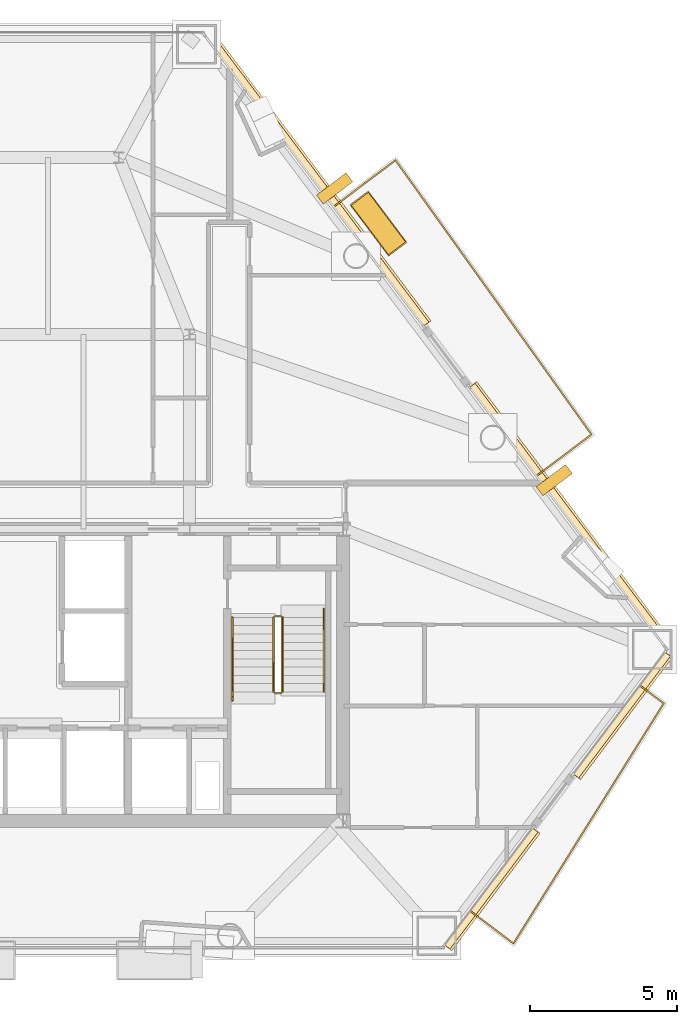
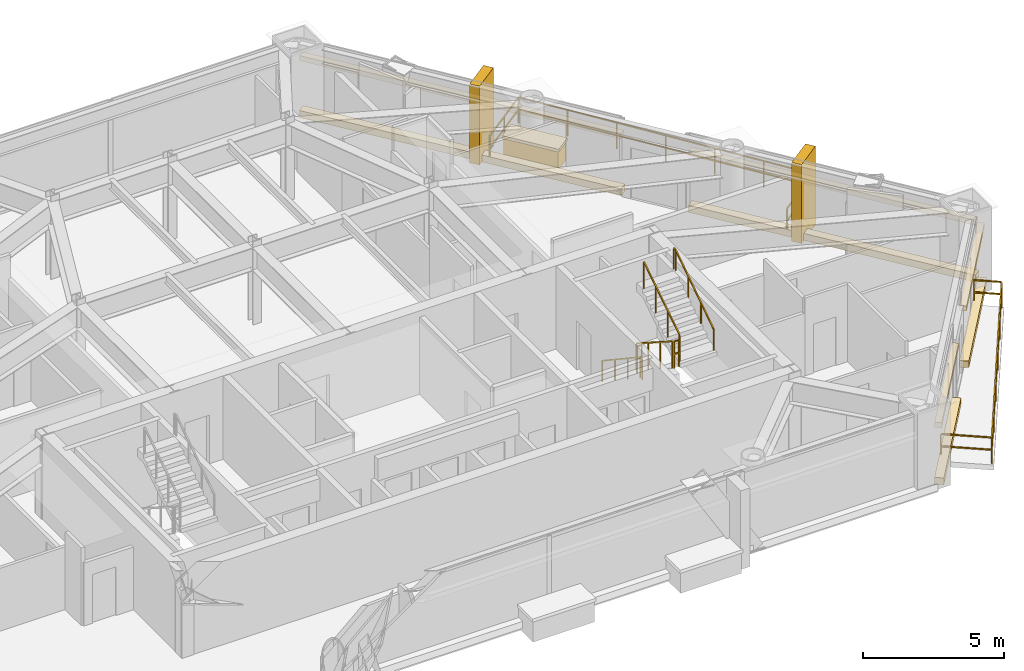
# One storey, part 10 of 10: 12 coverings, 8 railings.
"""IFC4 building model written with IfcOpenShell, lengths in metres."""

from ifc_helpers import new_model, si_unit, direction, frame, origin, origin_2d, place, context, subcontext, project, spatial, rectangle, extrude, material, layer, layer_set, type_object, element, save


model = new_model("IFC4")

# Units and contexts
model_context = context("Model", 3, precision=1e-05, world=origin(), true_north=direction((0.0, 1.0)))
body_context = subcontext(model_context, "Body", "Model", "MODEL_VIEW")
ifc_project = project(units=[si_unit("LENGTHUNIT", "METRE"), si_unit("AREAUNIT", "SQUARE_METRE"), si_unit("VOLUMEUNIT", "CUBIC_METRE"), si_unit("PLANEANGLEUNIT", "RADIAN"), si_unit("MASSUNIT", "GRAM", prefix="KILO")], contexts=[model_context])

# Site, building, storey
site_placement = place(None, origin())
site = spatial("IfcSite", under=ifc_project, at=site_placement, CompositionType="ELEMENT")
building_placement = place(site_placement, origin())
building = spatial("IfcBuilding", under=site, at=building_placement, Name="Talgorran Terracotta Tower", CompositionType="ELEMENT")
storey_placement = place(building_placement, frame((0.0, 0.0, 64.800048828125)))
storey = spatial("IfcBuildingStorey", under=building, at=storey_placement, Name="L16", CompositionType="ELEMENT", Elevation=64.800048828125)

# Coverings
ifc_material_1 = material(Name="Kiln-Fired Terracotta Ochre Ceramic", Category="masonry")
ifc_layer_1 = layer(ifc_material_1, 0.179931640625, Name="COV_BAGUETTE_TERRACOTTA_SCREEN")
ifc_layer_set_1 = layer_set([ifc_layer_1], Name="Kiln-Fired Terracotta Ochre Ceramic")
covering_type_1 = type_object("IfcCoveringType", Name="COV_BAGUETTE_TERRACOTTA_SCREEN", PredefinedType="CLADDING", material=ifc_layer_set_1)
covering_1_placement = place(storey_placement, frame((17.4169921875, -16.381591796875, 2.41015625), z_axis=(0.0, 0.0, 1.0), x_axis=(0.601438608227, 0.79891902001, 0.0)))
element("IfcCovering", 1, at=covering_1_placement, inside=storey, type_object=covering_type_1, Name="L16 Terracotta Baguette Solar Screen Assembly F30", PredefinedType="CLADDING", context=body_context, shape_type="SweptSolid", body=[
    extrude(rectangle(XDim=4.9609375, YDim=0.260009765625, at=origin_2d()), origin(), (0.0, 0.0, 1.0), 0.219970703125),
])
covering_2_placement = place(storey_placement, frame((21.845947265625, -10.49853515625, 2.41015625), z_axis=(0.0, 0.0, 1.0), x_axis=(0.601452551903, 0.798908522805, 0.0)))
element("IfcCovering", 2, at=covering_2_placement, inside=storey, type_object=covering_type_1, Name="L16 Terracotta Baguette Solar Screen Assembly F31", PredefinedType="CLADDING", context=body_context, shape_type="SweptSolid", body=[
    extrude(rectangle(XDim=5.166748046875, YDim=0.260009765625, at=origin_2d()), origin(), (0.0, 0.0, 1.0), 0.219970703125),
])
covering_3_placement = place(storey_placement, frame((20.087158203125, -3.73828125, 2.41015625), z_axis=(0.0, 0.0, 1.0), x_axis=(-0.601438608227, 0.79891902001, 0.0)))
element("IfcCovering", 3, at=covering_3_placement, inside=storey, type_object=covering_type_1, Name="L16 Terracotta Baguette Solar Screen Assembly F40", PredefinedType="CLADDING", context=body_context, shape_type="SweptSolid", body=[
    extrude(rectangle(XDim=11.015625, YDim=0.260009765625, at=origin_2d()), origin(), (0.0, 0.0, 1.0), 0.219970703125),
])
covering_4_placement = place(storey_placement, frame((11.4970703125, 7.67236328125, 2.41015625), z_axis=(0.0, 0.0, 1.0), x_axis=(-0.601438608227, 0.79891902001, 0.0)))
element("IfcCovering", 4, at=covering_4_placement, inside=storey, type_object=covering_type_1, Name="L16 Terracotta Baguette Solar Screen Assembly F41", PredefinedType="CLADDING", context=body_context, shape_type="SweptSolid", body=[
    extrude(rectangle(XDim=12.349609375, YDim=0.260009765625, at=origin_2d()), origin(), (0.0, 0.0, 1.0), 0.219970703125),
])
ifc_material_2 = material(Name="Honed Limestone and Terracotta Planter", Category="masonry")
ifc_layer_2 = layer(ifc_material_2, 0.1201171875, Name="COV_PLANTER_BOX")
ifc_layer_set_2 = layer_set([ifc_layer_2], Name="Honed Limestone and Terracotta Planter")
covering_type_2 = type_object("IfcCoveringType", Name="COV_PLANTER_BOX", PredefinedType="CLADDING", material=ifc_layer_set_2)
covering_5_placement = place(storey_placement, frame((13.603271484375, 6.15478515625, -0.02001953125), z_axis=(0.0, 0.0, 1.0), x_axis=(-0.601438608227, 0.79891902001, 0.0)))
element("IfcCovering", 5, at=covering_5_placement, inside=storey, type_object=covering_type_2, Name="L16 Staggered Balcony Planter Box BAL-NE", PredefinedType="CLADDING", context=body_context, shape_type="SweptSolid", body=[
    extrude(rectangle(XDim=2.10009765625, YDim=0.719970703125, at=origin_2d()), origin(), (0.0, 0.0, 1.0), 0.860107421875),
])
ifc_material_3 = material(Name="Kiln-Fired Terracotta Planter Rim", Category="masonry")
ifc_layer_3 = layer(ifc_material_3, 0.10009765625, Name="COV_PLANTER_RIM")
ifc_layer_set_3 = layer_set([ifc_layer_3], Name="Kiln-Fired Terracotta Planter Rim")
covering_type_3 = type_object("IfcCoveringType", Name="COV_PLANTER_RIM", PredefinedType="CLADDING", material=ifc_layer_set_3)
covering_6_placement = place(storey_placement, frame((13.603271484375, 6.15478515625, 0.7998046875), z_axis=(0.0, 0.0, 1.0), x_axis=(-0.601438608227, 0.79891902001, 0.0)))
element("IfcCovering", 6, at=covering_6_placement, inside=storey, type_object=covering_type_3, Name="L16 Balcony Planter Terracotta Rim BAL-NE", PredefinedType="CLADDING", context=body_context, shape_type="SweptSolid", body=[
    extrude(rectangle(XDim=2.179931640625, YDim=0.780029296875, at=origin_2d()), origin(), (0.0, 0.0, 1.0), 0.1201171875),
])
ifc_material_4 = material(Name="Honed Limestone Cladding", Category="masonry")
ifc_layer_4 = layer(ifc_material_4, 0.094970703125, Name="COV_PORTAL_LIME")
ifc_layer_set_4 = layer_set([ifc_layer_4], Name="Honed Limestone Cladding")
covering_type_4 = type_object("IfcCoveringType", Name="COV_PORTAL_LIME", PredefinedType="CLADDING", material=ifc_layer_set_4)
covering_7_placement = place(storey_placement, frame((17.448974609375, -16.40576171875, -0.0400390625), z_axis=(0.0, 0.0, 1.0), x_axis=(0.601438608227, 0.79891902001, 0.0)))
element("IfcCovering", 7, at=covering_7_placement, inside=storey, type_object=covering_type_4, Name="L16 Striped Postmodern Portal Cladding Band F30", PredefinedType="CLADDING", context=body_context, shape_type="SweptSolid", body=[
    extrude(rectangle(XDim=4.98095703125, YDim=0.340087890625, at=origin_2d()), origin(), (0.0, 0.0, 1.0), 0.300048828125),
])
covering_8_placement = place(storey_placement, frame((21.8779296875, -10.522705078125, -0.0400390625), z_axis=(0.0, 0.0, 1.0), x_axis=(0.601452551903, 0.798908522805, 0.0)))
element("IfcCovering", 8, at=covering_8_placement, inside=storey, type_object=covering_type_4, Name="L16 Striped Postmodern Portal Cladding Band F31", PredefinedType="CLADDING", context=body_context, shape_type="SweptSolid", body=[
    extrude(rectangle(XDim=5.186767578125, YDim=0.340087890625, at=origin_2d()), origin(), (0.0, 0.0, 1.0), 0.300048828125),
])
covering_9_placement = place(storey_placement, frame((20.118896484375, -3.714111328125, -0.0400390625), z_axis=(0.0, 0.0, 1.0), x_axis=(-0.601438608227, 0.79891902001, 0.0)))
element("IfcCovering", 9, at=covering_9_placement, inside=storey, type_object=covering_type_4, Name="L16 Striped Postmodern Portal Cladding Band F40", PredefinedType="CLADDING", context=body_context, shape_type="SweptSolid", body=[
    extrude(rectangle(XDim=11.03564453125, YDim=0.340087890625, at=origin_2d()), origin(), (0.0, 0.0, 1.0), 0.300048828125),
])
covering_10_placement = place(storey_placement, frame((11.529052734375, 7.6962890625, -0.0400390625), z_axis=(0.0, 0.0, 1.0), x_axis=(-0.601438608227, 0.79891902001, 0.0)))
element("IfcCovering", 10, at=covering_10_placement, inside=storey, type_object=covering_type_4, Name="L16 Striped Postmodern Portal Cladding Band F41", PredefinedType="CLADDING", context=body_context, shape_type="SweptSolid", body=[
    extrude(rectangle(XDim=12.36962890625, YDim=0.340087890625, at=origin_2d()), origin(), (0.0, 0.0, 1.0), 0.300048828125),
])
covering_11_placement = place(storey_placement, frame((12.1181640625, 7.34619140625, -0.050048828125), z_axis=(0.0, 0.0, 1.0), x_axis=(-0.601438608227, 0.79891902001, 0.0)))
element("IfcCovering", 11, at=covering_11_placement, inside=storey, type_object=covering_type_4, Name="L16 White Striped Portal Fin F3-2", PredefinedType="CLADDING", context=body_context, shape_type="SweptSolid", body=[
    extrude(rectangle(XDim=0.3798828125, YDim=1.25, at=origin_2d()), origin(), (0.0, 0.0, 1.0), 3.39990234375),
])
ifc_material_5 = material(Name="Kiln-Fired Terracotta Cladding", Category="masonry")
ifc_layer_5 = layer(ifc_material_5, 0.090087890625, Name="COV_PORTAL_TERRA")
ifc_layer_set_5 = layer_set([ifc_layer_5], Name="Kiln-Fired Terracotta Cladding")
covering_type_5 = type_object("IfcCoveringType", Name="COV_PORTAL_TERRA", PredefinedType="CLADDING", material=ifc_layer_set_5)
covering_12_placement = place(storey_placement, frame((19.5625, -2.54248046875, -0.050048828125), z_axis=(0.0, 0.0, 1.0), x_axis=(-0.601438608227, 0.79891902001, 0.0)))
element("IfcCovering", 12, at=covering_12_placement, inside=storey, type_object=covering_type_5, Name="L16 Terracotta Striped Portal Fin F3-1", PredefinedType="CLADDING", context=body_context, shape_type="SweptSolid", body=[
    extrude(rectangle(XDim=0.3798828125, YDim=1.25, at=origin_2d()), origin(), (0.0, 0.0, 1.0), 3.39990234375),
])

# Railings
ifc_material_6 = material(Name="Laminated Glass and Stainless Steel 316", Category="steel")
railing_type_1 = type_object("IfcRailingType", Name="RL_BALCONY_1150", PredefinedType="BALUSTRADE", material=ifc_material_6)
railing_1_placement = place(storey_placement, frame((18.97314453125, -2.3916015625, 0.0)))
element("IfcRailing", 13, at=railing_1_placement, inside=storey, type_object=railing_type_1, Name="RL-L16-BAL-BAL-NE", PredefinedType="BALUSTRADE", context=body_context, shape_type="SweptSolid", body=[
    extrude(rectangle(XDim=0.048095703125, YDim=0.048095703125, at=origin_2d()), frame((0.0, 0.0, 1.1259765625), z_axis=(0.798939106837, 0.601411925028, 0.0), x_axis=(-0.601411925028, 0.798939106837, 0.0)), (0.0, 0.0, 1.0), 2.322509765625),
    extrude(rectangle(XDim=0.048095703125, YDim=0.048095703125, at=origin_2d()), frame((0.0, 0.0, 0.597900390625), z_axis=(0.798939106837, 0.601411925028, 0.0), x_axis=(-0.601411925028, 0.798939106837, 0.0)), (0.0, 0.0, 1.0), 2.322509765625),
    extrude(rectangle(XDim=0.048095703125, YDim=0.048095703125, at=origin_2d()), frame((1.85546875, 1.396728515625, 1.1259765625), z_axis=(-0.581484646418, 0.81355737719, 0.0), x_axis=(-0.81355737719, -0.581484646418, 0.0)), (0.0, 0.0, 1.0), 11.43115234375),
    extrude(rectangle(XDim=0.048095703125, YDim=0.048095703125, at=origin_2d()), frame((1.85546875, 1.396728515625, 0.597900390625), z_axis=(-0.581484646418, 0.81355737719, 0.0), x_axis=(-0.81355737719, -0.581484646418, 0.0)), (0.0, 0.0, 1.0), 11.43115234375),
    extrude(rectangle(XDim=0.048095703125, YDim=0.048095703125, at=origin_2d()), frame((-4.79150390625, 10.696533203125, 1.1259765625), z_axis=(-0.798907852386, -0.601453442418, 0.0), x_axis=(0.601453442418, -0.798907852386, 0.0)), (0.0, 0.0, 1.0), 2.605224609375),
    extrude(rectangle(XDim=0.048095703125, YDim=0.048095703125, at=origin_2d()), frame((-4.79150390625, 10.696533203125, 0.597900390625), z_axis=(-0.798907852386, -0.601453442418, 0.0), x_axis=(0.601453442418, -0.798907852386, 0.0)), (0.0, 0.0, 1.0), 2.605224609375),
    extrude(rectangle(XDim=0.0419921875, YDim=0.0419921875, at=origin_2d()), origin(), (0.0, 0.0, 1.0), 1.101806640625),
    extrude(rectangle(XDim=0.0419921875, YDim=0.0419921875, at=origin_2d()), frame((0.927734375, 0.6982421875, 0.0)), (0.0, 0.0, 1.0), 1.101806640625),
    extrude(rectangle(XDim=0.0419921875, YDim=0.0419921875, at=origin_2d()), frame((1.85546875, 1.396728515625, 0.0)), (0.0, 0.0, 1.0), 1.101806640625),
    extrude(rectangle(XDim=0.0419921875, YDim=0.0419921875, at=origin_2d()), frame((0.74755859375, 2.94677734375, 0.0)), (0.0, 0.0, 1.0), 1.101806640625),
    extrude(rectangle(XDim=0.0419921875, YDim=0.0419921875, at=origin_2d()), frame((-0.360107421875, 4.49658203125, 0.0)), (0.0, 0.0, 1.0), 1.101806640625),
    extrude(rectangle(XDim=0.0419921875, YDim=0.0419921875, at=origin_2d()), frame((-1.468017578125, 6.046630859375, 0.0)), (0.0, 0.0, 1.0), 1.101806640625),
    extrude(rectangle(XDim=0.0419921875, YDim=0.0419921875, at=origin_2d()), frame((-2.575927734375, 7.5966796875, 0.0)), (0.0, 0.0, 1.0), 1.101806640625),
    extrude(rectangle(XDim=0.0419921875, YDim=0.0419921875, at=origin_2d()), frame((-3.68359375, 9.146484375, 0.0)), (0.0, 0.0, 1.0), 1.101806640625),
    extrude(rectangle(XDim=0.0419921875, YDim=0.0419921875, at=origin_2d()), frame((-4.79150390625, 10.696533203125, 0.0)), (0.0, 0.0, 1.0), 1.101806640625),
    extrude(rectangle(XDim=0.0419921875, YDim=0.0419921875, at=origin_2d()), frame((-5.83203125, 9.9130859375, 0.0)), (0.0, 0.0, 1.0), 1.101806640625),
    extrude(rectangle(XDim=0.0419921875, YDim=0.0419921875, at=origin_2d()), frame((-6.872802734375, 9.129638671875, 0.0)), (0.0, 0.0, 1.0), 1.101806640625),
])
railing_2_placement = place(storey_placement, frame((16.73095703125, -17.16015625, 0.0)))
element("IfcRailing", 14, at=railing_2_placement, inside=storey, type_object=railing_type_1, Name="RL-L16-BAL-BAL-SE", PredefinedType="BALUSTRADE", context=body_context, shape_type="SweptSolid", body=[
    extrude(rectangle(XDim=0.048095703125, YDim=0.048095703125, at=origin_2d()), frame((0.0, 0.0, 1.1259765625), z_axis=(0.798886711333, -0.601481522955, 0.0), x_axis=(0.601481522955, 0.798886711333, 0.0)), (0.0, 0.0, 1.0), 1.818115234375),
    extrude(rectangle(XDim=0.048095703125, YDim=0.048095703125, at=origin_2d()), frame((0.0, 0.0, 0.597900390625), z_axis=(0.798886711333, -0.601481522955, 0.0), x_axis=(0.601481522955, 0.798886711333, 0.0)), (0.0, 0.0, 1.0), 1.818115234375),
    extrude(rectangle(XDim=0.048095703125, YDim=0.048095703125, at=origin_2d()), frame((1.452392578125, -1.093505859375, 1.1259765625), z_axis=(0.530423962659, 0.84773251668, 0.0), x_axis=(-0.84773251668, 0.530423962659, 0.0)), (0.0, 0.0, 1.0), 9.602294921875),
    extrude(rectangle(XDim=0.048095703125, YDim=0.048095703125, at=origin_2d()), frame((1.452392578125, -1.093505859375, 0.597900390625), z_axis=(0.530423962659, 0.84773251668, 0.0), x_axis=(-0.84773251668, 0.530423962659, 0.0)), (0.0, 0.0, 1.0), 9.602294921875),
    extrude(rectangle(XDim=0.048095703125, YDim=0.048095703125, at=origin_2d()), frame((6.545654296875, 7.046630859375, 1.1259765625), z_axis=(-0.798934809358, 0.601417633925, 0.0), x_axis=(-0.601417633925, -0.798934809358, 0.0)), (0.0, 0.0, 1.0), 0.9912109375),
    extrude(rectangle(XDim=0.048095703125, YDim=0.048095703125, at=origin_2d()), frame((6.545654296875, 7.046630859375, 0.597900390625), z_axis=(-0.798934809358, 0.601417633925, 0.0), x_axis=(-0.601417633925, -0.798934809358, 0.0)), (0.0, 0.0, 1.0), 0.9912109375),
    extrude(rectangle(XDim=0.0419921875, YDim=0.0419921875, at=origin_2d()), origin(), (0.0, 0.0, 1.0), 1.101806640625),
    extrude(rectangle(XDim=0.0419921875, YDim=0.0419921875, at=origin_2d()), frame((1.452392578125, -1.093505859375, 0.0)), (0.0, 0.0, 1.0), 1.101806640625),
    extrude(rectangle(XDim=0.0419921875, YDim=0.0419921875, at=origin_2d()), frame((2.470947265625, 0.534423828125, 0.0)), (0.0, 0.0, 1.0), 1.101806640625),
    extrude(rectangle(XDim=0.0419921875, YDim=0.0419921875, at=origin_2d()), frame((3.48974609375, 2.16259765625, 0.0)), (0.0, 0.0, 1.0), 1.101806640625),
    extrude(rectangle(XDim=0.0419921875, YDim=0.0419921875, at=origin_2d()), frame((4.50830078125, 3.79052734375, 0.0)), (0.0, 0.0, 1.0), 1.101806640625),
    extrude(rectangle(XDim=0.0419921875, YDim=0.0419921875, at=origin_2d()), frame((5.527099609375, 5.418701171875, 0.0)), (0.0, 0.0, 1.0), 1.101806640625),
    extrude(rectangle(XDim=0.0419921875, YDim=0.0419921875, at=origin_2d()), frame((6.545654296875, 7.046630859375, 0.0)), (0.0, 0.0, 1.0), 1.101806640625),
    extrude(rectangle(XDim=0.0419921875, YDim=0.0419921875, at=origin_2d()), frame((5.753662109375, 7.642822265625, 0.0)), (0.0, 0.0, 1.0), 1.101806640625),
])
ifc_material_7 = material(Name="Steel S355 (300PLUS)", Category="steel")
railing_type_2 = type_object("IfcRailingType", Name="RL_HANDRAIL_920", PredefinedType="HANDRAIL", material=ifc_material_7)
railing_3_placement = place(storey_placement, frame((8.64990234375, -7.199951171875, 0.179931640625)))
element("IfcRailing", 15, at=railing_3_placement, inside=storey, type_object=railing_type_2, Name="L16 ST-02 stair handrail 1", PredefinedType="HANDRAIL", context=body_context, shape_type="SweptSolid", body=[
    extrude(rectangle(XDim=0.048095703125, YDim=0.048095703125, at=origin_2d()), frame((0.0, 0.0, 0.89599609375), z_axis=(0.0, -0.832038719335, 0.554717558338), x_axis=(1.0, 0.0, 0.0)), (0.0, 0.0, 1.0), 3.244873046875),
    extrude(rectangle(XDim=0.048095703125, YDim=0.048095703125, at=origin_2d()), frame((0.0, -2.699951171875, 2.69580078125), z_axis=(0.0, -1.0, 0.0), x_axis=(1.0, 0.0, 0.0)), (0.0, 0.0, 1.0), 0.1201171875),
    extrude(rectangle(XDim=0.0419921875, YDim=0.0419921875, at=origin_2d()), origin(), (0.0, 0.0, 1.0), 0.871826171875),
    extrude(rectangle(XDim=0.0419921875, YDim=0.0419921875, at=origin_2d()), frame((0.0, -0.89990234375, 0.60009765625)), (0.0, 0.0, 1.0), 0.871826171875),
    extrude(rectangle(XDim=0.0419921875, YDim=0.0419921875, at=origin_2d()), frame((0.0, -1.800048828125, 1.199951171875)), (0.0, 0.0, 1.0), 0.871826171875),
    extrude(rectangle(XDim=0.0419921875, YDim=0.0419921875, at=origin_2d()), frame((0.0, -2.699951171875, 1.800048828125)), (0.0, 0.0, 1.0), 0.871826171875),
    extrude(rectangle(XDim=0.0419921875, YDim=0.0419921875, at=origin_2d()), frame((0.0, -2.820068359375, 1.800048828125)), (0.0, 0.0, 1.0), 0.871826171875),
])
railing_4_placement = place(storey_placement, frame((11.75, -9.719970703125, 1.97998046875)))
element("IfcRailing", 16, at=railing_4_placement, inside=storey, type_object=railing_type_2, Name="L16 ST-02 stair handrail 2", PredefinedType="HANDRAIL", context=body_context, shape_type="SweptSolid", body=[
    extrude(rectangle(XDim=0.048095703125, YDim=0.048095703125, at=origin_2d()), frame((0.0, 0.0, 0.89599609375), z_axis=(0.0, 0.832038719335, 0.554717558338), x_axis=(-1.0, 0.0, 0.0)), (0.0, 0.0, 1.0), 3.244873046875),
    extrude(rectangle(XDim=0.048095703125, YDim=0.048095703125, at=origin_2d()), frame((0.0, 2.699951171875, 2.69580078125), z_axis=(0.0, 1.0, 0.0), x_axis=(-1.0, 0.0, 0.0)), (0.0, 0.0, 1.0), 0.1201171875),
    extrude(rectangle(XDim=0.0419921875, YDim=0.0419921875, at=origin_2d()), origin(), (0.0, 0.0, 1.0), 0.871826171875),
    extrude(rectangle(XDim=0.0419921875, YDim=0.0419921875, at=origin_2d()), frame((0.0, 0.89990234375, 0.60009765625)), (0.0, 0.0, 1.0), 0.871826171875),
    extrude(rectangle(XDim=0.0419921875, YDim=0.0419921875, at=origin_2d()), frame((0.0, 1.800048828125, 1.199951171875)), (0.0, 0.0, 1.0), 0.871826171875),
    extrude(rectangle(XDim=0.0419921875, YDim=0.0419921875, at=origin_2d()), frame((0.0, 2.699951171875, 1.800048828125)), (0.0, 0.0, 1.0), 0.871826171875),
    extrude(rectangle(XDim=0.0419921875, YDim=0.0419921875, at=origin_2d()), frame((0.0, 2.820068359375, 1.800048828125)), (0.0, 0.0, 1.0), 0.871826171875),
])
railing_type_3 = type_object("IfcRailingType", Name="RL_STAIR_GUARD", PredefinedType="GUARDRAIL", material=ifc_material_7)
railing_5_placement = place(storey_placement, frame((10.050048828125, -7.199951171875, 0.179931640625)))
element("IfcRailing", 17, at=railing_5_placement, inside=storey, type_object=railing_type_3, Name="L16 ST-02 stair guard 1", PredefinedType="GUARDRAIL", context=body_context, shape_type="SweptSolid", body=[
    extrude(rectangle(XDim=0.048095703125, YDim=0.048095703125, at=origin_2d()), frame((0.0, 0.0, 1.15576171875), z_axis=(0.0, -0.841162588446, 0.540782303519), x_axis=(1.0, 0.0, 0.0)), (0.0, 0.0, 1.0), 2.995849609375),
    extrude(rectangle(XDim=0.0419921875, YDim=0.0419921875, at=origin_2d()), origin(), (0.0, 0.0, 1.0), 1.1318359375),
    extrude(rectangle(XDim=0.0419921875, YDim=0.0419921875, at=origin_2d()), frame((0.0, -0.840087890625, 0.5400390625)), (0.0, 0.0, 1.0), 1.1318359375),
    extrude(rectangle(XDim=0.0419921875, YDim=0.0419921875, at=origin_2d()), frame((0.0, -1.679931640625, 1.080078125)), (0.0, 0.0, 1.0), 1.1318359375),
    extrude(rectangle(XDim=0.0419921875, YDim=0.0419921875, at=origin_2d()), frame((0.0, -2.52001953125, 1.6201171875)), (0.0, 0.0, 1.0), 1.1318359375),
])
railing_6_placement = place(storey_placement, frame((10.10009765625, -9.77001953125, 1.800048828125)))
element("IfcRailing", 18, at=railing_6_placement, inside=storey, type_object=railing_type_3, Name="L16 ST-02 stair guard 2", PredefinedType="GUARDRAIL", context=body_context, shape_type="SweptSolid", body=[
    extrude(rectangle(XDim=0.048095703125, YDim=0.048095703125, at=origin_2d()), frame((0.0, 0.0, 1.15576171875), z_axis=(1.0, 0.0, 0.0), x_axis=(0.0, 1.0, 0.0)), (0.0, 0.0, 1.0), 0.199951171875),
    extrude(rectangle(XDim=0.048095703125, YDim=0.048095703125, at=origin_2d()), frame((0.0, 0.0, 0.613525390625), z_axis=(1.0, 0.0, 0.0), x_axis=(0.0, 1.0, 0.0)), (0.0, 0.0, 1.0), 0.199951171875),
    extrude(rectangle(XDim=0.0419921875, YDim=0.0419921875, at=origin_2d()), origin(), (0.0, 0.0, 1.0), 1.1318359375),
    extrude(rectangle(XDim=0.0419921875, YDim=0.0419921875, at=origin_2d()), frame((0.199951171875, 0.0, 0.0)), (0.0, 0.0, 1.0), 1.1318359375),
])
railing_7_placement = place(storey_placement, frame((10.35009765625, -9.719970703125, 1.97998046875)))
element("IfcRailing", 19, at=railing_7_placement, inside=storey, type_object=railing_type_3, Name="L16 ST-02 stair guard 3", PredefinedType="GUARDRAIL", context=body_context, shape_type="SweptSolid", body=[
    extrude(rectangle(XDim=0.048095703125, YDim=0.048095703125, at=origin_2d()), frame((0.0, 0.0, 1.15576171875), z_axis=(0.0, 0.841199657755, 0.540724639528), x_axis=(-1.0, 0.0, 0.0)), (0.0, 0.0, 1.0), 2.995849609375),
    extrude(rectangle(XDim=0.0419921875, YDim=0.0419921875, at=origin_2d()), origin(), (0.0, 0.0, 1.0), 1.1318359375),
    extrude(rectangle(XDim=0.0419921875, YDim=0.0419921875, at=origin_2d()), frame((0.0, 0.840087890625, 0.5400390625)), (0.0, 0.0, 1.0), 1.1318359375),
    extrude(rectangle(XDim=0.0419921875, YDim=0.0419921875, at=origin_2d()), frame((0.0, 1.679931640625, 1.079833984375)), (0.0, 0.0, 1.0), 1.1318359375),
    extrude(rectangle(XDim=0.0419921875, YDim=0.0419921875, at=origin_2d()), frame((0.0, 2.52001953125, 1.619873046875)), (0.0, 0.0, 1.0), 1.1318359375),
])
railing_8_placement = place(storey_placement, frame((10.10009765625, -7.14990234375, 0.0)))
element("IfcRailing", 20, at=railing_8_placement, inside=storey, type_object=railing_type_3, Name="L16 ST-02 stair guard 4", PredefinedType="GUARDRAIL", context=body_context, shape_type="SweptSolid", body=[
    extrude(rectangle(XDim=0.048095703125, YDim=0.048095703125, at=origin_2d()), frame((0.0, 0.0, 1.15576171875), z_axis=(1.0, 0.0, 0.0), x_axis=(0.0, 1.0, 0.0)), (0.0, 0.0, 1.0), 0.199951171875),
    extrude(rectangle(XDim=0.048095703125, YDim=0.048095703125, at=origin_2d()), frame((0.0, 0.0, 0.613525390625), z_axis=(1.0, 0.0, 0.0), x_axis=(0.0, 1.0, 0.0)), (0.0, 0.0, 1.0), 0.199951171875),
    extrude(rectangle(XDim=0.0419921875, YDim=0.0419921875, at=origin_2d()), origin(), (0.0, 0.0, 1.0), 1.1318359375),
    extrude(rectangle(XDim=0.0419921875, YDim=0.0419921875, at=origin_2d()), frame((0.199951171875, 0.0, 0.0)), (0.0, 0.0, 1.0), 1.1318359375),
])

save(model, "model.ifc")
